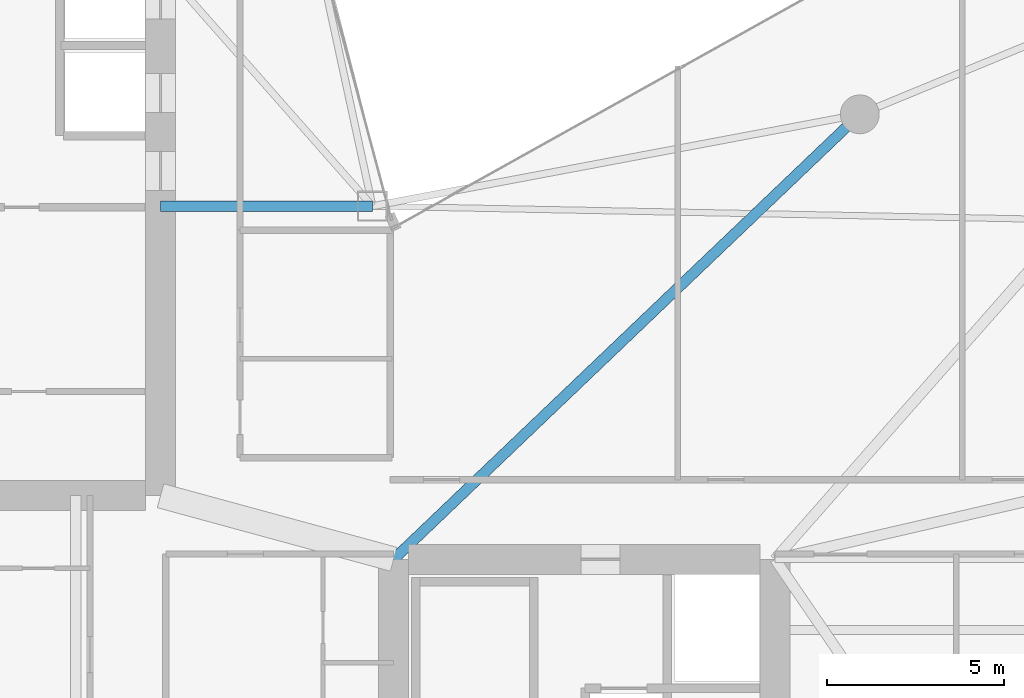
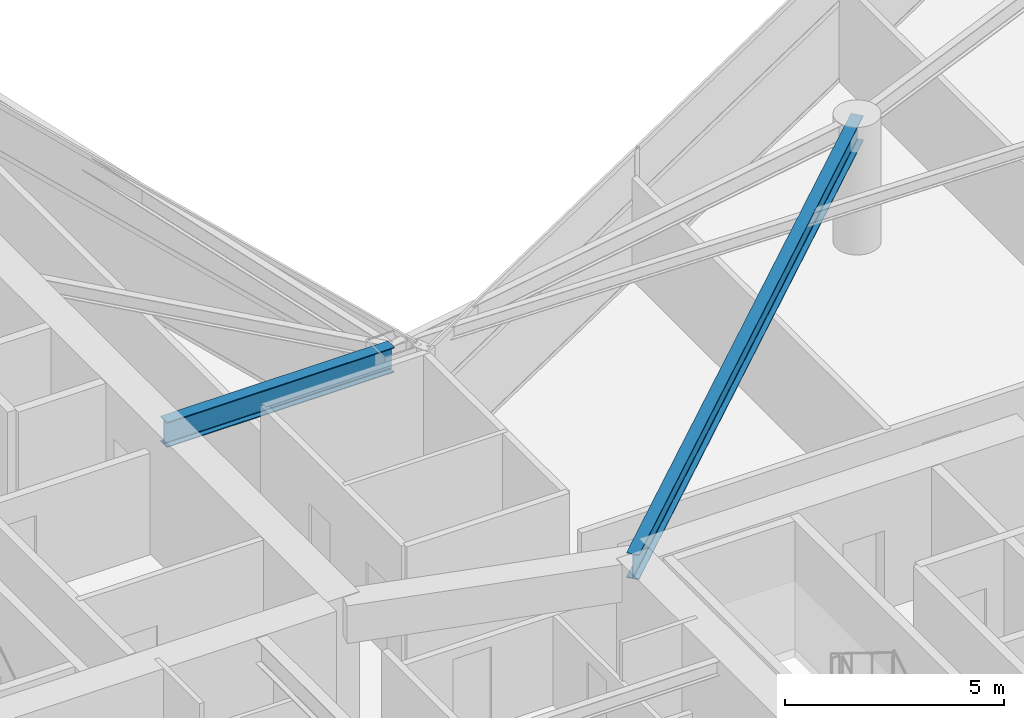
# One storey, part 9 of 29: 2 beams.
"""IFC4 building model written with IfcOpenShell, lengths in metres."""

import ifcopenshell
import ifcopenshell.guid

model = None  # the IFC model being written
_history = None  # IfcOwnerHistory: only IFC2X3 demands one
_inside = {}  # id of a spatial element -> (the spatial element, [elements in it])
_under = {}  # id of a project, library or spatial element -> (it, [spatial elements below it])
_declared = {}  # id of a project -> (the project, [libraries it declares])
_typed = {}  # id of a type object -> (the type object, [elements of that type])
_made_of = {}  # id of a material, layer set ... -> (it, [elements and type objects made of it])


def new_model(schema):
    """Start an empty IFC model of exactly this schema.

    Asked for "IFC4X3", IfcOpenShell would pick the latest addendum, in which some entities
    have other attributes; the version numbers below select the first issue.
    IFC2X3 requires an IfcOwnerHistory on every rooted entity: one is made here for all.
    """
    global model, _history
    if schema == "IFC4X3":
        model = ifcopenshell.file(schema_version=(4, 3, 0, 0))
    else:
        model = ifcopenshell.file(schema=schema)
    _inside.clear()
    _under.clear()
    _declared.clear()
    _typed.clear()
    _made_of.clear()
    _history = None
    if model.schema == "IFC2X3":
        org = make("IfcOrganization", Name="unknown")
        user = make(
            "IfcPersonAndOrganization",
            ThePerson=make("IfcPerson", FamilyName="unknown"),
            TheOrganization=org,
        )
        app = make(
            "IfcApplication",
            ApplicationDeveloper=org,
            Version="unknown",
            ApplicationFullName="unknown",
            ApplicationIdentifier="unknown",
        )
        _history = make(
            "IfcOwnerHistory",
            OwningUser=user,
            OwningApplication=app,
            ChangeAction="ADDED",
            CreationDate=0,
        )
    return model


def make(cls, **values):
    """One entity of the class cls with the attributes given. An attribute that is None is left unset."""
    return model.create_entity(
        cls, **{name: value for name, value in values.items() if value is not None}
    )


def rooted(cls, **values):
    """An entity with a GlobalId (a new one), such as an element, a storey or a relation."""
    return make(cls, GlobalId=ifcopenshell.guid.new(), OwnerHistory=_history, **values)


def si_unit(unit_type, name, prefix=None):
    """IfcSIUnit, for example si_unit("LENGTHUNIT", "METRE", prefix="MILLI")."""
    return make("IfcSIUnit", UnitType=unit_type, Prefix=prefix, Name=name)


def assignment(units):
    """IfcUnitAssignment: the units of a project."""
    return None if units is None else make("IfcUnitAssignment", Units=units)


def point(xyz):
    """IfcCartesianPoint."""
    return None if xyz is None else make("IfcCartesianPoint", Coordinates=xyz)


def direction(xyz):
    """IfcDirection."""
    return None if xyz is None else make("IfcDirection", DirectionRatios=xyz)


def frame(location, z_axis=None, x_axis=None):
    """IfcAxis2Placement3D, a coordinate frame: its origin and axes. An axis left out is left unset."""
    return make(
        "IfcAxis2Placement3D",
        Location=point(location),
        Axis=direction(z_axis),
        RefDirection=direction(x_axis),
    )


def frame_2d(location, x_axis=None):
    """IfcAxis2Placement2D, a coordinate frame in the plane: its origin and x axis."""
    return make(
        "IfcAxis2Placement2D", Location=point(location), RefDirection=direction(x_axis)
    )


def origin():
    """The frame at (0, 0, 0) with its axes left unset."""
    return frame((0.0, 0.0, 0.0))


def origin_2d():
    """The frame at (0, 0) in the plane with its x axis left unset."""
    return frame_2d((0.0, 0.0))


def place(relative_to, where):
    """IfcLocalPlacement: puts the frame where relative to a parent placement (None: the world)."""
    return make(
        "IfcLocalPlacement", PlacementRelTo=relative_to, RelativePlacement=where
    )


def context(
    kind, dimensions, precision=None, world=None, true_north=None, identifier=None
):
    """IfcGeometricRepresentationContext, for example the 3D "Model" context."""
    return make(
        "IfcGeometricRepresentationContext",
        ContextIdentifier=identifier,
        ContextType=kind,
        CoordinateSpaceDimension=dimensions,
        Precision=precision,
        WorldCoordinateSystem=world,
        TrueNorth=true_north,
    )


def subcontext(parent, identifier, kind, view, scale=None):
    """IfcGeometricRepresentationSubContext, for example "Body" below "Model"."""
    return make(
        "IfcGeometricRepresentationSubContext",
        ContextIdentifier=identifier,
        ContextType=kind,
        ParentContext=parent,
        TargetScale=scale,
        TargetView=view,
    )


def project(units=None, contexts=None):
    """IfcProject with its units and contexts."""
    return rooted(
        "IfcProject",
        Name="project",
        RepresentationContexts=contexts,
        UnitsInContext=assignment(units),
    )


def spatial(cls, under=None, at=None, **own):
    """A site, building, storey or space (cls), placed at a placement, below another one or the project."""
    s = rooted(cls, ObjectPlacement=at, **own)
    if under is not None:
        _under.setdefault(under.id(), (under, []))[1].append(s)
    return s


def profile(cls, at=None, kind="AREA", **sizes):
    """A parametric profile (cls). Its sizes go by their IFC names, for example OverallWidth=200.0."""
    return make(cls, ProfileType=kind, Position=at, **sizes)


def i_section(**sizes):
    """IfcIShapeProfileDef."""
    return profile("IfcIShapeProfileDef", **sizes)


def extrude(swept, where, along, depth):
    """IfcExtrudedAreaSolid: the profile swept, set in the frame where, extruded along a direction by depth."""
    return make(
        "IfcExtrudedAreaSolid",
        SweptArea=swept,
        Position=where,
        ExtrudedDirection=direction(along),
        Depth=depth,
    )


def shape(context_of_items, identifier, shape_type, items):
    """IfcShapeRepresentation: the items that make up one representation, for example the "Body"."""
    return make(
        "IfcShapeRepresentation",
        ContextOfItems=context_of_items,
        RepresentationIdentifier=identifier,
        RepresentationType=shape_type,
        Items=items,
    )


def material(Name=None, Category=None):
    """IfcMaterial."""
    return make("IfcMaterial", Name=Name, Category=Category)


def material_profile(
    of_material, cross_section, Name=None, Category=None, Priority=None
):
    """IfcMaterialProfile: a cross section and its material."""
    return make(
        "IfcMaterialProfile",
        Name=Name,
        Material=of_material,
        Profile=cross_section,
        Priority=Priority,
        Category=Category,
    )


def profile_set(profiles, Name=None, composite=None):
    """IfcMaterialProfileSet."""
    return make(
        "IfcMaterialProfileSet",
        Name=Name,
        MaterialProfiles=profiles,
        CompositeProfile=composite,
    )


def made_of(thing, what):
    """Note that an element or type object is made of a material, layer set ...; save() writes the relation."""
    if what is not None:
        _made_of.setdefault(what.id(), (what, []))[1].append(thing)
    return thing


def type_object(cls, material=None, **own):
    """A type object (cls), such as IfcWallType, which elements share."""
    return made_of(rooted(cls, **own), material)


def element(
    cls,
    number,
    at=None,
    inside=None,
    cuts=None,
    type_object=None,
    material=None,
    context=None,
    identifier="Body",
    shape_type=None,
    held_by="IfcProductDefinitionShape",
    body=None,
    shapes=None,
    **own,
):
    """One element of the class cls, such as IfcWall. Its Tag is "e" and its number.

    at: its placement. inside: the storey or other place that contains it. cuts: it is an
    opening in that element (IfcRelVoidsElement). A single representation is given by context,
    identifier, shape_type and body (its items); several are given by shapes. held_by: the class
    of the entity that holds the representations. save() writes the other relations.
    """
    e = rooted(cls, Tag="e%d" % number, ObjectPlacement=at, **own)
    if body is not None:
        shapes = [shape(context, identifier, shape_type, body)]
    if shapes is not None:
        e.Representation = make(held_by, Representations=shapes)
    if inside is not None:
        _inside.setdefault(inside.id(), (inside, []))[1].append(e)
    if cuts is not None:
        rooted(
            "IfcRelVoidsElement", RelatingBuildingElement=cuts, RelatedOpeningElement=e
        )
    if type_object is not None:
        _typed.setdefault(type_object.id(), (type_object, []))[1].append(e)
    return made_of(e, material)


def aggregate(whole, parts):
    """IfcRelAggregates: a whole, such as a stair, and the parts it consists of."""
    return rooted("IfcRelAggregates", RelatingObject=whole, RelatedObjects=parts)


def save(model, path):
    """Write the relations noted so far, then the file.

    IfcRelAggregates (storeys below a building ...), IfcRelContainedInSpatialStructure (elements
    in a storey), IfcRelDefinesByType, IfcRelAssociatesMaterial and IfcRelDeclares: one each for
    every whole, place, type object, material and project.
    """
    for whole, parts in _under.values():
        aggregate(whole, parts)
    for where, things in _inside.values():
        rooted(
            "IfcRelContainedInSpatialStructure",
            RelatedElements=things,
            RelatingStructure=where,
        )
    for kind, things in _typed.values():
        rooted("IfcRelDefinesByType", RelatedObjects=things, RelatingType=kind)
    for what, things in _made_of.values():
        rooted("IfcRelAssociatesMaterial", RelatedObjects=things, RelatingMaterial=what)
    for by, libraries in _declared.values():
        rooted("IfcRelDeclares", RelatingContext=by, RelatedDefinitions=libraries)
    model.write(path)


model = new_model("IFC4")

# Units and contexts
model_context = context("Model", 3, precision=1e-05, world=origin(), true_north=direction((0.0, 1.0)))
body_context = subcontext(model_context, "Body", "Model", "MODEL_VIEW")
ifc_project = project(units=[si_unit("LENGTHUNIT", "METRE"), si_unit("AREAUNIT", "SQUARE_METRE"), si_unit("VOLUMEUNIT", "CUBIC_METRE"), si_unit("PLANEANGLEUNIT", "RADIAN"), si_unit("MASSUNIT", "GRAM", prefix="KILO")], contexts=[model_context])

# Site, building, storey
site_placement = place(None, origin())
site = spatial("IfcSite", under=ifc_project, at=site_placement, CompositionType="ELEMENT")
building_placement = place(site_placement, origin())
building = spatial("IfcBuilding", under=site, at=building_placement, Name="Calvorn Quay Hotel", CompositionType="ELEMENT")
storey_placement = place(building_placement, frame((0.0, 0.0, 120.199951171875)))
storey = spatial("IfcBuildingStorey", under=building, at=storey_placement, Name="L29", CompositionType="ELEMENT", Elevation=120.199951171875)

# Beams
ifc_material = material(Name="Steel Q390GJC", Category="steel")
ifc_material_profile = material_profile(ifc_material, i_section(OverallWidth=0.300048828125, OverallDepth=0.699951171875, WebThickness=0.012939453125, FlangeThickness=0.02392578125, FilletRadius=0.02392578125, at=origin_2d()), Name="HN700x300x13x24")
ifc_profile_set = profile_set([ifc_material_profile], Name="Steel Q390GJC")
beam_type = type_object("IfcBeamType", Name="BM-GIRD-MAIN", PredefinedType="BEAM", material=ifc_profile_set)
beam_1_placement = place(storey_placement, frame((21.0, 25.0, 3.18994140625), z_axis=(-1.0, 0.0, 0.0), x_axis=(0.0, -1.0, 0.0)))
element("IfcBeam", 1, at=beam_1_placement, inside=storey, type_object=beam_type, Name="Beam BG-L29-W7", PredefinedType="BEAM", context=body_context, shape_type="SweptSolid", body=[
    extrude(i_section(OverallWidth=0.300048828125, OverallDepth=0.699951171875, WebThickness=0.012939453125, FlangeThickness=0.02392578125, FilletRadius=0.02392578125, at=origin_2d()), origin(), (0.0, 0.0, 1.0), 6.0),
])
beam_2_placement = place(storey_placement, frame((21.60009765625, 15.0, 3.18994140625), z_axis=(0.723351595578, 0.690479883252, 0.0), x_axis=(-0.690479883252, 0.723351595578, 0.0)))
element("IfcBeam", 2, at=beam_2_placement, inside=storey, type_object=beam_type, Name="Beam BG-L29-E4", PredefinedType="BEAM", context=body_context, shape_type="SweptSolid", body=[
    extrude(i_section(OverallWidth=0.300048828125, OverallDepth=0.699951171875, WebThickness=0.012939453125, FlangeThickness=0.02392578125, FilletRadius=0.02392578125, at=origin_2d()), origin(), (0.0, 0.0, 1.0), 18.248291015625),
])

save(model, "model.ifc")
